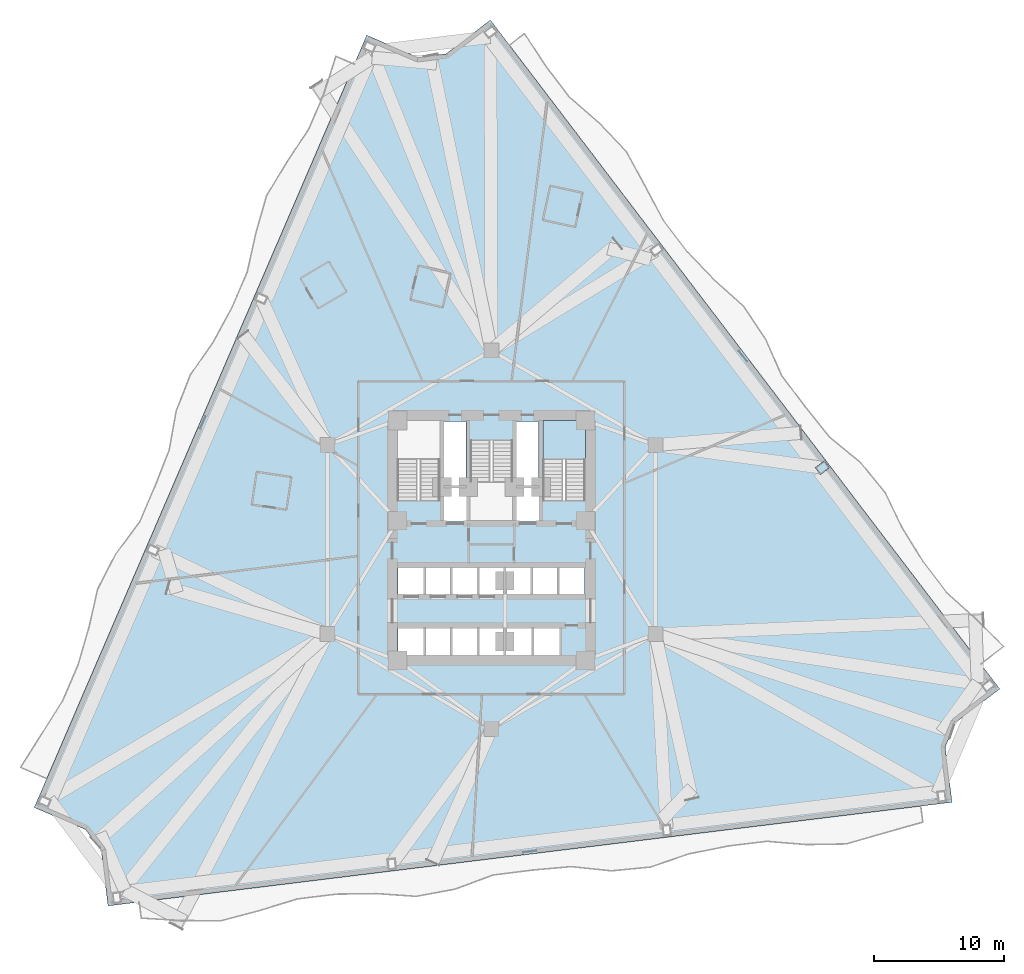
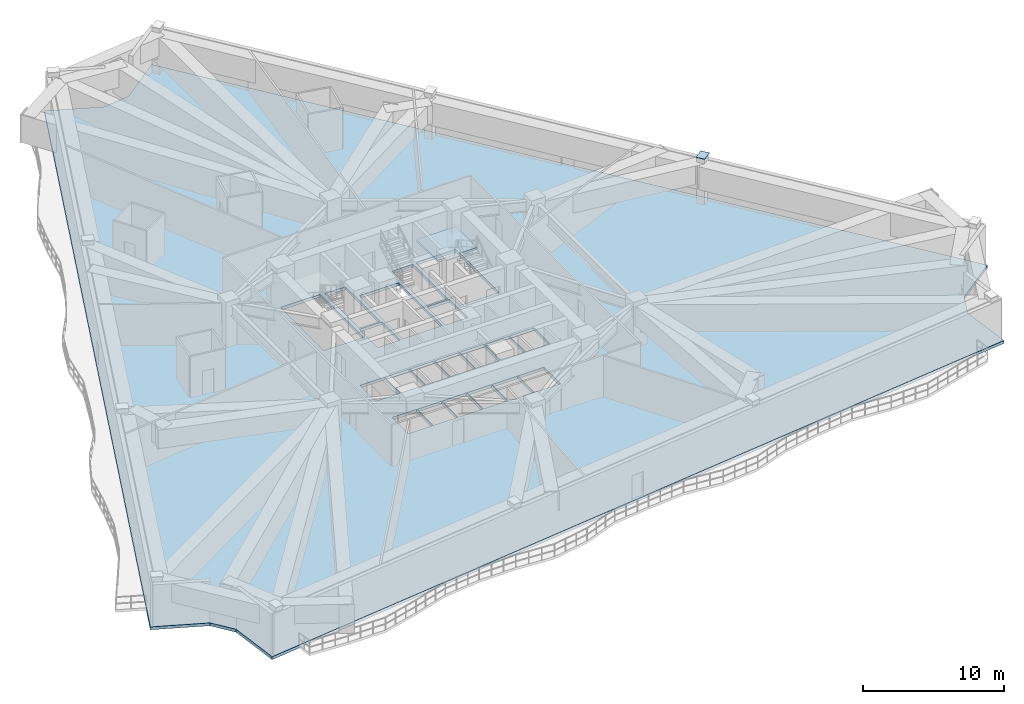
# One storey, part 5 of 14: 2 slabs, 1 plate, 1 element without a shape of its own.
"""IFC4 building model written with IfcOpenShell, lengths in metres."""

from ifc_helpers import new_model, si_unit, direction, frame, origin, origin_2d, place, context, subcontext, project, spatial, polyline, rectangle, outline, extrude, material, layer, layer_set, type_object, element, aggregate, save


model = new_model("IFC4")

# Units and contexts
model_context = context("Model", 3, precision=1e-05, world=origin(), true_north=direction((0.0, 1.0)))
body_context = subcontext(model_context, "Body", "Model", "MODEL_VIEW")
ifc_project = project(units=[si_unit("LENGTHUNIT", "METRE"), si_unit("AREAUNIT", "SQUARE_METRE"), si_unit("VOLUMEUNIT", "CUBIC_METRE"), si_unit("PLANEANGLEUNIT", "RADIAN"), si_unit("MASSUNIT", "GRAM", prefix="KILO")], contexts=[model_context])

# Site, building, storey
site_placement = place(None, origin())
site = spatial("IfcSite", under=ifc_project, at=site_placement, CompositionType="ELEMENT")
building_placement = place(site_placement, origin())
building = spatial("IfcBuilding", under=site, at=building_placement, Name="Apsidion Concourse Tower", CompositionType="ELEMENT")
storey_placement = place(building_placement, frame((0.0, 0.0, 91.0)))
storey = spatial("IfcBuildingStorey", under=building, at=storey_placement, Name="L20", CompositionType="ELEMENT", Elevation=91.0)

# Plate
ifc_material_1 = material(Name="Structural steel ASTM A572 Grade 50", Category="steel")
ifc_layer_1 = layer(ifc_material_1, 0.034912109375)
ifc_layer_set_1 = layer_set([ifc_layer_1], Name="Structural steel ASTM A572 Grade 50")
plate_type = type_object("IfcPlateType", Name="PL-ENDCAP-35", PredefinedType="USERDEFINED", material=ifc_layer_set_1)
plate_placement = place(storey_placement, frame((25.371337890625, 5.514404296875, 3.998046875), z_axis=(0.0, 0.0, 1.0), x_axis=(-0.605988400266, 0.795473480855, 0.0)))
element("IfcPlate", 1, at=plate_placement, inside=storey, type_object=plate_type, Name="L20 Step-Top Column End-Cap Plate PCCAP-PC10", ObjectType="FLANGE_PLATE", PredefinedType="USERDEFINED", context=body_context, shape_type="SweptSolid", body=[
    extrude(rectangle(XDim=0.679931640625, YDim=0.8798828125, at=origin_2d()), origin(), (0.0, 0.0, 1.0), 0.0400390625),
])

# Slab
ifc_material_2 = material(Name="Concrete C50/60", Category="concrete")
ifc_layer_2 = layer(ifc_material_2, 0.25)
ifc_layer_set_2 = layer_set([ifc_layer_2], Name="Concrete C50/60")
slab_type_1 = type_object("IfcSlabType", Name="SL-FLR-250", PredefinedType="FLOOR", material=ifc_layer_set_2)
slab_1_placement = place(storey_placement, frame((0.0, 0.0, -0.25)))
element("IfcSlab", 2, at=slab_1_placement, inside=storey, type_object=slab_type_1, Name="L20 Structural Floor Slab", PredefinedType="FLOOR", context=body_context, shape_type="SweptSolid", body=[
    extrude(outline(polyline([(-0.077392578125, 39.835693359375), (-3.478271484375, 37.24560546875), (-5.6357421875, 36.980712890625), (-9.56201171875, 38.671142578125), (-35.050048828125, -20.5341796875), (-31.123779296875, -22.224365234375), (-29.914794921875, -23.83740234375), (-29.393798828125, -28.080078125), (35.313720703125, -20.13525390625), (34.792724609375, -15.89208984375), (35.57568359375, -14.03466796875), (38.9765625, -11.444580078125), (-0.077392578125, 39.835693359375)]), holes=[polyline([(-3.949951171875, 3.0), (-3.949951171875, 9.14990234375), (-7.199951171875, 9.14990234375), (-7.199951171875, 3.0), (-3.949951171875, 3.0)]), polyline([(7.199951171875, 3.0), (7.199951171875, 9.14990234375), (3.949951171875, 9.14990234375), (3.949951171875, 3.0), (7.199951171875, 3.0)]), polyline([(-1.625, 7.60009765625), (-1.625, 1.449951171875), (1.625, 1.449951171875), (1.625, 7.60009765625), (-1.625, 7.60009765625)]), polyline([(-7.14501953125, -4.300048828125), (-5.155029296875, -4.300048828125), (-5.155029296875, -2.050048828125), (-7.14501953125, -2.050048828125), (-7.14501953125, -4.300048828125)]), polyline([(-5.094970703125, -4.300048828125), (-3.10498046875, -4.300048828125), (-3.10498046875, -2.050048828125), (-5.094970703125, -2.050048828125), (-5.094970703125, -4.300048828125)]), polyline([(-3.044921875, -4.300048828125), (-1.054931640625, -4.300048828125), (-1.054931640625, -2.050048828125), (-3.044921875, -2.050048828125), (-3.044921875, -4.300048828125)]), polyline([(-0.9951171875, -4.300048828125), (0.9951171875, -4.300048828125), (0.9951171875, -2.050048828125), (-0.9951171875, -2.050048828125), (-0.9951171875, -4.300048828125)]), polyline([(1.054931640625, -4.300048828125), (3.044921875, -4.300048828125), (3.044921875, -2.050048828125), (1.054931640625, -2.050048828125), (1.054931640625, -4.300048828125)]), polyline([(3.10498046875, -4.300048828125), (5.094970703125, -4.300048828125), (5.094970703125, -2.050048828125), (3.10498046875, -2.050048828125), (3.10498046875, -4.300048828125)]), polyline([(5.155029296875, -4.300048828125), (7.14501953125, -4.300048828125), (7.14501953125, -2.050048828125), (5.155029296875, -2.050048828125), (5.155029296875, -4.300048828125)]), polyline([(-7.14501953125, -8.949951171875), (-5.155029296875, -8.949951171875), (-5.155029296875, -6.64990234375), (-7.14501953125, -6.64990234375), (-7.14501953125, -8.949951171875)]), polyline([(-5.094970703125, -8.949951171875), (-3.10498046875, -8.949951171875), (-3.10498046875, -6.64990234375), (-5.094970703125, -6.64990234375), (-5.094970703125, -8.949951171875)]), polyline([(-3.044921875, -8.949951171875), (-1.054931640625, -8.949951171875), (-1.054931640625, -6.64990234375), (-3.044921875, -6.64990234375), (-3.044921875, -8.949951171875)]), polyline([(-0.9951171875, -8.949951171875), (0.9951171875, -8.949951171875), (0.9951171875, -6.64990234375), (-0.9951171875, -6.64990234375), (-0.9951171875, -8.949951171875)]), polyline([(1.044921875, -9.0), (3.155029296875, -9.0), (3.155029296875, -6.64990234375), (1.044921875, -6.64990234375), (1.044921875, -9.0)]), polyline([(3.195068359375, -9.0), (5.304931640625, -9.0), (5.304931640625, -6.64990234375), (3.195068359375, -6.64990234375), (3.195068359375, -9.0)]), polyline([(-3.7099609375, 1.39990234375), (-1.85009765625, 1.39990234375), (-1.85009765625, 4.0), (-3.7099609375, 4.0), (-3.7099609375, 1.39990234375)]), polyline([(1.85009765625, 1.39990234375), (3.7099609375, 1.39990234375), (3.7099609375, 4.0), (1.85009765625, 4.0), (1.85009765625, 1.39990234375)]), polyline([(-3.6201171875, 4.14990234375), (-1.93994140625, 4.14990234375), (-1.93994140625, 9.050048828125), (-3.6201171875, 9.050048828125), (-3.6201171875, 4.14990234375)]), polyline([(1.93994140625, 4.14990234375), (3.6201171875, 4.14990234375), (3.6201171875, 9.050048828125), (1.93994140625, 9.050048828125), (1.93994140625, 4.14990234375)])]), origin(), (0.0, 0.0, 1.0), 0.25),
])

# Stair, slab
ifc_material_3 = material(Name="Precast concrete C40/50", Category="concrete")
stair_type = type_object("IfcStairType", Name="ST-DL-1550", PredefinedType="HALF_TURN_STAIR", material=ifc_material_3)
stair_placement = place(storey_placement, origin())
stair = element("IfcStair", 3, at=stair_placement, inside=storey, type_object=stair_type, Name="L20 Protected Core Exit Stair ST2", PredefinedType="HALF_TURN_STAIR")
ifc_layer_3 = layer(ifc_material_2, 0.199951171875)
ifc_layer_set_3 = layer_set([ifc_layer_3], Name="Concrete C50/60")
slab_type_2 = type_object("IfcSlabType", Name="SL-ST-LAND-200", PredefinedType="LANDING", material=ifc_layer_set_3)
slab_2_placement = place(storey_placement, frame((0.0, 0.0, 1.800048828125)))
slab_2 = element("IfcSlab", 4, at=slab_2_placement, type_object=slab_type_2, Name="ST2 landing 1", PredefinedType="LANDING", context=body_context, shape_type="SweptSolid", body=[
    extrude(outline(polyline([(7.199951171875, 6.135009765625), (7.199951171875, 9.14990234375), (3.949951171875, 9.14990234375), (3.949951171875, 6.135009765625), (7.199951171875, 6.135009765625)])), origin(), (0.0, 0.0, 1.0), 0.199951171875),
])
aggregate(stair, [slab_2])

save(model, "model.ifc")
